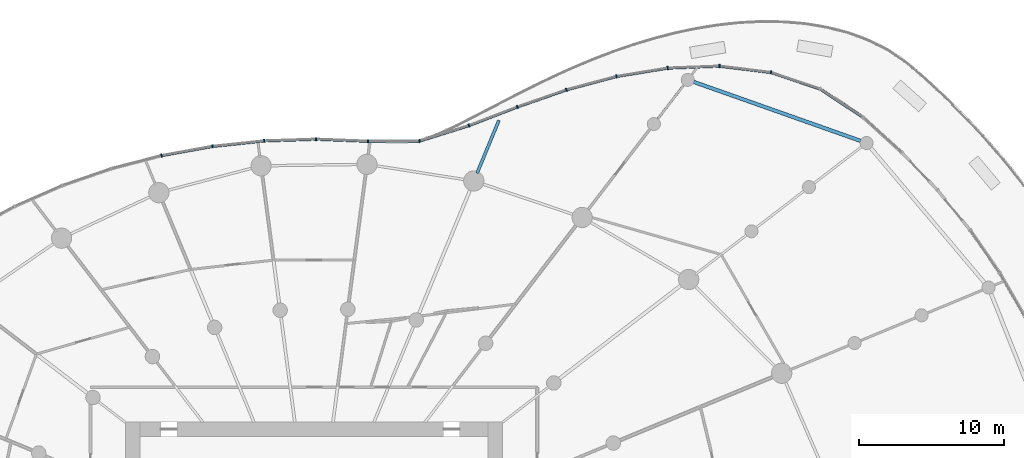
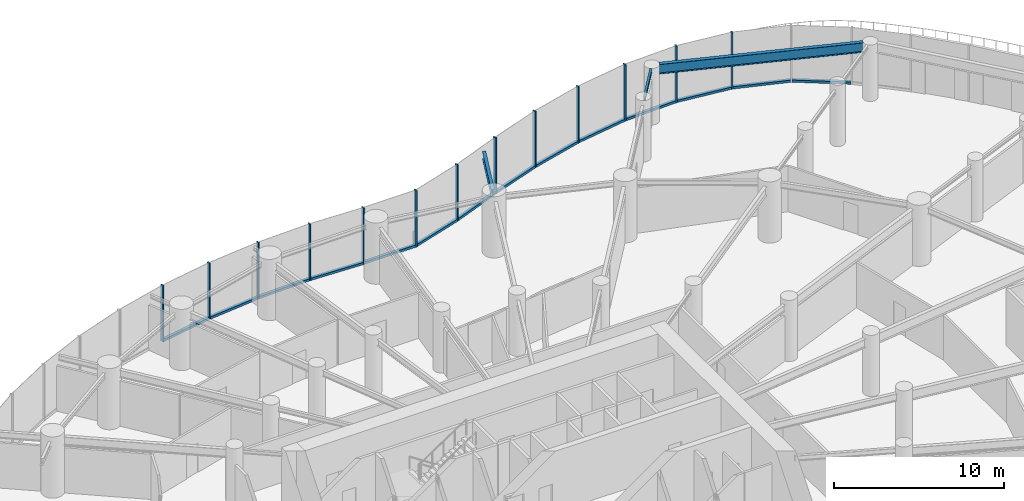
# One storey, part 9 of 24: 27 members, 3 beams, 4 elements without a shape of their own.
"""IFC4 building model written with IfcOpenShell, lengths in metres."""

from ifc_helpers import new_model, si_unit, direction, frame, origin, origin_2d, place, context, subcontext, project, spatial, rectangle, i_section, extrude, source, transform, mapped, material, layer, layer_set, material_profile, profile_set, type_object, element, aggregate, save


model = new_model("IFC4")

# Units and contexts
model_context = context("Model", 3, precision=1e-05, world=origin(), true_north=direction((0.0, 1.0)))
body_context = subcontext(model_context, "Body", "Model", "MODEL_VIEW")
ifc_project = project(units=[si_unit("LENGTHUNIT", "METRE"), si_unit("AREAUNIT", "SQUARE_METRE"), si_unit("VOLUMEUNIT", "CUBIC_METRE"), si_unit("PLANEANGLEUNIT", "RADIAN"), si_unit("MASSUNIT", "GRAM", prefix="KILO")], contexts=[model_context])

# Site, building, storey
site_placement = place(None, origin())
site = spatial("IfcSite", under=ifc_project, at=site_placement, CompositionType="ELEMENT")
building_placement = place(site_placement, origin())
building = spatial("IfcBuilding", under=site, at=building_placement, Name="Spindrift Exchange Tower", CompositionType="ELEMENT")
storey_placement = place(building_placement, frame((0.0, 0.0, 5.0)))
storey = spatial("IfcBuildingStorey", under=building, at=storey_placement, Name="L01", CompositionType="ELEMENT", Elevation=5.0)

# Beams
ifc_material_1 = material(Name="Steel Grade 300", Category="steel")
ifc_material_profile_1 = material_profile(ifc_material_1, i_section(OverallWidth=0.14599609375, OverallDepth=0.251953125, WebThickness=0.006103515625, FlangeThickness=0.008544921875, FilletRadius=0.011962890625, at=origin_2d()), Name="250UB31.4")
ifc_profile_set_1 = profile_set([ifc_material_profile_1], Name="Steel Grade 300")
beam_type_1 = type_object("IfcBeamType", Name="Floor Beam 250UB31.4 Steel Grade 300", PredefinedType="BEAM", material=ifc_profile_set_1)
shared_shape_1 = source(origin(), body_context, "Body", "SweptSolid", [
    extrude(i_section(OverallWidth=0.14599609375, OverallDepth=0.251953125, WebThickness=0.006103515625, FlangeThickness=0.008544921875, FilletRadius=0.011962890625, at=origin_2d()), origin(), (0.0, 0.0, 1.0), 2.978515625),
])
beam_1_placement = place(storey_placement, frame((75.697998046875, 78.8837890625, 3.924072265625), z_axis=(0.608763600102, 0.793351674348, 0.0), x_axis=(-0.793351674348, 0.608763600102, 0.0)))
element("IfcBeam", 1, at=beam_1_placement, inside=storey, type_object=beam_type_1, Name="L01 radial beam R04C2", PredefinedType="BEAM", context=body_context, shape_type="MappedRepresentation", body=[
    mapped(shared_shape_1, transform((0.0, 0.0, 0.0), scale=1.0)),
])
ifc_material_profile_2 = material_profile(ifc_material_1, i_section(OverallWidth=0.208984375, OverallDepth=0.532958984375, WebThickness=0.01025390625, FlangeThickness=0.015625, FilletRadius=0.013916015625, at=origin_2d()), Name="530UB92.4")
ifc_profile_set_2 = profile_set([ifc_material_profile_2], Name="Steel Grade 300")
beam_type_2 = type_object("IfcBeamType", Name="Cantilever Beam 530UB92.4 Steel Grade 300", PredefinedType="BEAM", material=ifc_profile_set_2)
shared_shape_2 = source(origin(), body_context, "Body", "SweptSolid", [
    extrude(i_section(OverallWidth=0.208984375, OverallDepth=0.532958984375, WebThickness=0.01025390625, FlangeThickness=0.015625, FilletRadius=0.013916015625, at=origin_2d()), origin(), (0.0, 0.0, 1.0), 3.949951171875),
])
beam_2_placement = place(storey_placement, frame((63.244873046875, 75.147216796875, 3.783447265625), z_axis=(0.382648384846, 0.92389404889, 0.0), x_axis=(-0.92389404889, 0.382648384846, 0.0)))
element("IfcBeam", 2, at=beam_2_placement, inside=storey, type_object=beam_type_2, Name="L01 cantilever beam R05T", PredefinedType="BEAM", context=body_context, shape_type="MappedRepresentation", body=[
    mapped(shared_shape_2, transform((0.0, 0.0, 0.0), scale=1.0)),
])
ifc_material_profile_3 = material_profile(ifc_material_1, i_section(OverallWidth=0.25, OverallDepth=0.699951171875, WebThickness=0.008056640625, FlangeThickness=0.011962890625, at=origin_2d()), Name="700WB115")
ifc_profile_set_3 = profile_set([ifc_material_profile_3], Name="Steel Grade 300")
beam_type_3 = type_object("IfcBeamType", Name="Edge Beam 700WB115 Steel Grade 300", PredefinedType="SPANDREL", material=ifc_profile_set_3)
shared_shape_3 = source(origin(), body_context, "Body", "SweptSolid", [
    extrude(i_section(OverallWidth=0.25, OverallDepth=0.699951171875, WebThickness=0.008056640625, FlangeThickness=0.011962890625, at=origin_2d()), origin(), (0.0, 0.0, 1.0), 12.211669921875),
])
beam_3_placement = place(storey_placement, frame((89.6923828125, 77.376708984375, 3.699951171875), z_axis=(-0.942879923887, 0.333132780029, 0.0), x_axis=(-0.333132780029, -0.942879923887, 0.0)))
element("IfcBeam", 3, at=beam_3_placement, inside=storey, type_object=beam_type_3, Name="L01 cascade edge beam G03", PredefinedType="SPANDREL", context=body_context, shape_type="MappedRepresentation", body=[
    mapped(shared_shape_3, transform((0.0, 0.0, 0.0), scale=1.0)),
])

# Curtain wall, members
ifc_material_2 = material(Name="Fritted laminated glass with bronze frame", Category="glass")
ifc_layer = layer(ifc_material_2, 0.219970703125)
ifc_layer_set = layer_set([ifc_layer], Name="PODIUM BRONZE GLAZED WALL")
curtain_wall_type = type_object("IfcCurtainWallType", Name="PODIUM BRONZE GLAZED WALL", PredefinedType="NOTDEFINED", material=ifc_layer_set)
curtain_wall_1_placement = place(storey_placement, origin())
curtain_wall_1 = element("IfcCurtainWall", 4, at=curtain_wall_1_placement, inside=storey, type_object=curtain_wall_type, Name="L01 Podium Bronze Glazed Wall run 3", PredefinedType="NOTDEFINED")
ifc_material_3 = material(Name="Bronze anodised aluminium", Category="aluminium")
ifc_material_profile_4 = material_profile(ifc_material_3, rectangle(XDim=0.090087890625, YDim=0.219970703125, at=origin_2d()), Name="PODIUM BRONZE GLAZED WALL MULLION 90X220")
ifc_profile_set_4 = profile_set([ifc_material_profile_4], Name="Bronze anodised aluminium")
member_type_1 = type_object("IfcMemberType", Name="PODIUM BRONZE GLAZED WALL MULLION 90X220", PredefinedType="MULLION", material=ifc_profile_set_4)
shared_shape_4 = source(origin(), body_context, "Body", "SweptSolid", [
    extrude(rectangle(XDim=0.090087890625, YDim=0.219970703125, at=origin_2d()), origin(), (0.0, 0.0, 1.0), 4.050048828125),
])
member_1_placement = place(storey_placement, frame((83.5087890625, 82.100341796875, 0.0), z_axis=(0.0, 0.0, 1.0), x_axis=(-0.97520666879, 0.22129607576, 0.0)))
member_1 = element("IfcMember", 5, at=member_1_placement, type_object=member_type_1, Name="L01 mullion CW-P.13", PredefinedType="MULLION", context=body_context, shape_type="MappedRepresentation", body=[
    mapped(shared_shape_4, transform((0.0, 0.0, 0.0), scale=1.0)),
])
member_2_placement = place(storey_placement, frame((79.962890625, 82.536865234375, 0.0), z_axis=(0.0, 0.0, 1.0), x_axis=(-0.999093765035, 0.042563466351, 0.0)))
member_2 = element("IfcMember", 6, at=member_2_placement, type_object=member_type_1, Name="L01 mullion CW-P.14", PredefinedType="MULLION", context=body_context, shape_type="MappedRepresentation", body=[
    mapped(shared_shape_4, transform((0.0, 0.0, 0.0), scale=1.0)),
])
member_3_placement = place(storey_placement, frame((76.390869140625, 82.403564453125, 0.0), z_axis=(0.0, 0.0, 1.0), x_axis=(-0.995045951853, -0.099416063598, 0.0)))
member_3 = element("IfcMember", 7, at=member_3_placement, type_object=member_type_1, Name="L01 mullion CW-P.15", PredefinedType="MULLION", context=body_context, shape_type="MappedRepresentation", body=[
    mapped(shared_shape_4, transform((0.0, 0.0, 0.0), scale=1.0)),
])
member_4_placement = place(storey_placement, frame((72.862060546875, 81.827392578125, 0.0), z_axis=(0.0, 0.0, 1.0), x_axis=(-0.977678577544, -0.210106161289, 0.0)))
member_4 = element("IfcMember", 8, at=member_4_placement, type_object=member_type_1, Name="L01 mullion CW-P.16", PredefinedType="MULLION", context=body_context, shape_type="MappedRepresentation", body=[
    mapped(shared_shape_4, transform((0.0, 0.0, 0.0), scale=1.0)),
])
member_5_placement = place(storey_placement, frame((69.407470703125, 80.902587890625, 0.0), z_axis=(0.0, 0.0, 1.0), x_axis=(-0.955803926416, -0.294004854123, 0.0)))
member_5 = element("IfcMember", 9, at=member_5_placement, type_object=member_type_1, Name="L01 mullion CW-P.17", PredefinedType="MULLION", context=body_context, shape_type="MappedRepresentation", body=[
    mapped(shared_shape_4, transform((0.0, 0.0, 0.0), scale=1.0)),
])
member_6_placement = place(storey_placement, frame((66.029541015625, 79.7255859375, 0.0), z_axis=(0.0, 0.0, 1.0), x_axis=(-0.938843760803, -0.344343422763, 0.0)))
member_6 = element("IfcMember", 10, at=member_6_placement, type_object=member_type_1, Name="L01 mullion CW-P.18", PredefinedType="MULLION", context=body_context, shape_type="MappedRepresentation", body=[
    mapped(shared_shape_4, transform((0.0, 0.0, 0.0), scale=1.0)),
])

curtain_wall_2_placement = place(storey_placement, origin())
curtain_wall_2 = element("IfcCurtainWall", 11, at=curtain_wall_2_placement, inside=storey, type_object=curtain_wall_type, Name="L01 Podium Bronze Glazed Wall run 4", PredefinedType="NOTDEFINED")
member_7_placement = place(storey_placement, frame((62.69140625, 78.439453125, 0.0), z_axis=(0.0, 0.0, 1.0), x_axis=(-0.944214589173, -0.329330851261, 0.0)))
member_7 = element("IfcMember", 12, at=member_7_placement, type_object=member_type_1, Name="L01 mullion CW-P.19", PredefinedType="MULLION", context=body_context, shape_type="MappedRepresentation", body=[
    mapped(shared_shape_4, transform((0.0, 0.0, 0.0), scale=1.0)),
])
member_8_placement = place(storey_placement, frame((59.281005859375, 77.37158203125, 0.0), z_axis=(0.0, 0.0, 1.0), x_axis=(-0.988271895586, -0.15270448715, 0.0)))
member_8 = element("IfcMember", 13, at=member_8_placement, type_object=member_type_1, Name="L01 mullion CW-P.20", PredefinedType="MULLION", context=body_context, shape_type="MappedRepresentation", body=[
    mapped(shared_shape_4, transform((0.0, 0.0, 0.0), scale=1.0)),
])
member_9_placement = place(storey_placement, frame((55.7216796875, 77.3603515625, 0.0), z_axis=(0.0, 0.0, 1.0), x_axis=(-0.999841223396, 0.017819315328, 0.0)))
member_9 = element("IfcMember", 14, at=member_9_placement, type_object=member_type_1, Name="L01 mullion CW-P.21", PredefinedType="MULLION", context=body_context, shape_type="MappedRepresentation", body=[
    mapped(shared_shape_4, transform((0.0, 0.0, 0.0), scale=1.0)),
])
member_10_placement = place(storey_placement, frame((52.1474609375, 77.499267578125, 0.0), z_axis=(0.0, 0.0, 1.0), x_axis=(-0.999995645197, 0.002951200978, 0.0)))
member_10 = element("IfcMember", 15, at=member_10_placement, type_object=member_type_1, Name="L01 mullion CW-P.22", PredefinedType="MULLION", context=body_context, shape_type="MappedRepresentation", body=[
    mapped(shared_shape_4, transform((0.0, 0.0, 0.0), scale=1.0)),
])
member_11_placement = place(storey_placement, frame((48.57275390625, 77.38134765625, 0.0), z_axis=(0.0, 0.0, 1.0), x_axis=(-0.997617235938, -0.06899167022, 0.0)))
member_11 = element("IfcMember", 16, at=member_11_placement, type_object=member_type_1, Name="L01 mullion CW-P.23", PredefinedType="MULLION", context=body_context, shape_type="MappedRepresentation", body=[
    mapped(shared_shape_4, transform((0.0, 0.0, 0.0), scale=1.0)),
])
member_12_placement = place(storey_placement, frame((45.015869140625, 77.006103515625, 0.0), z_axis=(0.0, 0.0, 1.0), x_axis=(-0.989964616675, -0.14131545468, 0.0)))
member_12 = element("IfcMember", 17, at=member_12_placement, type_object=member_type_1, Name="L01 mullion CW-P.24", PredefinedType="MULLION", context=body_context, shape_type="MappedRepresentation", body=[
    mapped(shared_shape_4, transform((0.0, 0.0, 0.0), scale=1.0)),
])

# Curtain wall, member
curtain_wall_3_placement = place(storey_placement, origin())
curtain_wall_3 = element("IfcCurtainWall", 18, at=curtain_wall_3_placement, inside=storey, type_object=curtain_wall_type, Name="L01 Podium Bronze Glazed Wall run 5", PredefinedType="NOTDEFINED")
member_13_placement = place(storey_placement, frame((41.495849609375, 76.37109375, 0.0), z_axis=(0.0, 0.0, 1.0), x_axis=(-0.976764175529, -0.214316927477, 0.0)))
member_13 = element("IfcMember", 19, at=member_13_placement, type_object=member_type_1, Name="L01 mullion CW-P.25", PredefinedType="MULLION", context=body_context, shape_type="MappedRepresentation", body=[
    mapped(shared_shape_4, transform((0.0, 0.0, 0.0), scale=1.0)),
])
aggregate(curtain_wall_3, [member_13])

# Member
ifc_material_profile_5 = material_profile(ifc_material_3, rectangle(XDim=0.199951171875, YDim=0.159912109375, at=origin_2d()), Name="PODIUM BRONZE GLAZED WALL TRANSOM 200X160")
ifc_profile_set_5 = profile_set([ifc_material_profile_5], Name="Bronze anodised aluminium")
member_type_2 = type_object("IfcMemberType", Name="PODIUM BRONZE GLAZED WALL TRANSOM 200X160", PredefinedType="USERDEFINED", material=ifc_profile_set_5)
shared_shape_5 = source(origin(), body_context, "Body", "SweptSolid", [
    extrude(rectangle(XDim=0.199951171875, YDim=0.159912109375, at=origin_2d()), origin(), (0.0, 0.0, 1.0), 3.486328125),
])
member_14_placement = place(storey_placement, frame((72.818603515625, 81.815673828125, 0.080078125), z_axis=(-0.965997415558, -0.25855172236, 0.0), x_axis=(0.25855172236, -0.965997415558, 0.0)))
member_14 = element("IfcMember", 20, at=member_14_placement, type_object=member_type_2, Name="L01 transom CW-P.16", ObjectType="TRANSOM", PredefinedType="USERDEFINED", context=body_context, shape_type="MappedRepresentation", body=[
    mapped(shared_shape_5, transform((0.0, 0.0, 0.0), scale=1.0)),
])

shared_shape_6 = source(origin(), body_context, "Body", "SweptSolid", [
    extrude(rectangle(XDim=0.199951171875, YDim=0.159912109375, at=origin_2d()), origin(), (0.0, 0.0, 1.0), 3.48681640625),
])
member_15_placement = place(storey_placement, frame((55.676513671875, 77.362060546875, 0.080078125), z_axis=(-0.999244638462, 0.038860680705, 0.0), x_axis=(-0.038860680705, -0.999244638462, 0.0)))
member_15 = element("IfcMember", 21, at=member_15_placement, type_object=member_type_2, Name="L01 transom CW-P.21", ObjectType="TRANSOM", PredefinedType="USERDEFINED", context=body_context, shape_type="MappedRepresentation", body=[
    mapped(shared_shape_6, transform((0.0, 0.0, 0.0), scale=1.0)),
])

member_16_placement = place(storey_placement, frame((52.1025390625, 77.497802734375, 0.080078125), z_axis=(-0.999456041254, -0.032979108549, 0.0), x_axis=(0.032979108549, -0.999456041254, 0.0)))
member_16 = element("IfcMember", 22, at=member_16_placement, type_object=member_type_2, Name="L01 transom CW-P.22", ObjectType="TRANSOM", PredefinedType="USERDEFINED", context=body_context, shape_type="MappedRepresentation", body=[
    mapped(shared_shape_6, transform((0.0, 0.0, 0.0), scale=1.0)),
])

# Curtain wall, members
curtain_wall_4_placement = place(storey_placement, origin())
curtain_wall_4 = element("IfcCurtainWall", 23, at=curtain_wall_4_placement, inside=storey, type_object=curtain_wall_type, Name="L01 Podium Bronze Glazed Wall run 2", PredefinedType="NOTDEFINED")
shared_shape_7 = source(origin(), body_context, "Body", "SweptSolid", [
    extrude(rectangle(XDim=0.199951171875, YDim=0.159912109375, at=origin_2d()), origin(), (0.0, 0.0, 1.0), 3.474853515625),
])
member_17_placement = place(storey_placement, frame((89.82861328125, 79.024169921875, 0.080078125), z_axis=(-0.83424875447, 0.551388262176, 0.0), x_axis=(-0.551388262176, -0.83424875447, 0.0)))
member_17 = element("IfcMember", 24, at=member_17_placement, type_object=member_type_2, Name="L01 transom CW-P.11", ObjectType="TRANSOM", PredefinedType="USERDEFINED", context=body_context, shape_type="MappedRepresentation", body=[
    mapped(shared_shape_7, transform((0.0, 0.0, 0.0), scale=1.0)),
])
shared_shape_8 = source(origin(), body_context, "Body", "SweptSolid", [
    extrude(rectangle(XDim=0.199951171875, YDim=0.159912109375, at=origin_2d()), origin(), (0.0, 0.0, 1.0), 3.47900390625),
])
member_18_placement = place(storey_placement, frame((86.849609375, 80.979248046875, 0.080078125), z_axis=(-0.948028626286, 0.318185046383, 0.0), x_axis=(-0.318185046383, -0.948028626286, 0.0)))
member_18 = element("IfcMember", 25, at=member_18_placement, type_object=member_type_2, Name="L01 transom CW-P.12", ObjectType="TRANSOM", PredefinedType="USERDEFINED", context=body_context, shape_type="MappedRepresentation", body=[
    mapped(shared_shape_8, transform((0.0, 0.0, 0.0), scale=1.0)),
])
aggregate(curtain_wall_4, [member_17, member_18])

# Member
shared_shape_9 = source(origin(), body_context, "Body", "SweptSolid", [
    extrude(rectangle(XDim=0.199951171875, YDim=0.159912109375, at=origin_2d()), origin(), (0.0, 0.0, 1.0), 3.48291015625),
])
member_19_placement = place(storey_placement, frame((83.46435546875, 82.10595703125, 0.080078125), z_axis=(-0.992508003407, 0.122179634857, 0.0), x_axis=(-0.122179634857, -0.992508003407, 0.0)))
member_19 = element("IfcMember", 26, at=member_19_placement, type_object=member_type_2, Name="L01 transom CW-P.13", ObjectType="TRANSOM", PredefinedType="USERDEFINED", context=body_context, shape_type="MappedRepresentation", body=[
    mapped(shared_shape_9, transform((0.0, 0.0, 0.0), scale=1.0)),
])

shared_shape_10 = source(origin(), body_context, "Body", "SweptSolid", [
    extrude(rectangle(XDim=0.199951171875, YDim=0.159912109375, at=origin_2d()), origin(), (0.0, 0.0, 1.0), 3.484619140625),
])
member_20_placement = place(storey_placement, frame((79.91796875, 82.53515625, 0.080078125), z_axis=(-0.999305105878, -0.037273386828, 0.0), x_axis=(0.037273386828, -0.999305105878, 0.0)))
member_20 = element("IfcMember", 27, at=member_20_placement, type_object=member_type_2, Name="L01 transom CW-P.14", ObjectType="TRANSOM", PredefinedType="USERDEFINED", context=body_context, shape_type="MappedRepresentation", body=[
    mapped(shared_shape_10, transform((0.0, 0.0, 0.0), scale=1.0)),
])

shared_shape_11 = source(origin(), body_context, "Body", "SweptSolid", [
    extrude(rectangle(XDim=0.199951171875, YDim=0.159912109375, at=origin_2d()), origin(), (0.0, 0.0, 1.0), 3.4853515625),
])
member_21_placement = place(storey_placement, frame((76.346435546875, 82.396240234375, 0.080078125), z_axis=(-0.98693742693, -0.161104051238, 0.0), x_axis=(0.161104051238, -0.98693742693, 0.0)))
member_21 = element("IfcMember", 28, at=member_21_placement, type_object=member_type_2, Name="L01 transom CW-P.15", ObjectType="TRANSOM", PredefinedType="USERDEFINED", context=body_context, shape_type="MappedRepresentation", body=[
    mapped(shared_shape_11, transform((0.0, 0.0, 0.0), scale=1.0)),
])

shared_shape_12 = source(origin(), body_context, "Body", "SweptSolid", [
    extrude(rectangle(XDim=0.199951171875, YDim=0.159912109375, at=origin_2d()), origin(), (0.0, 0.0, 1.0), 3.487060546875),
])
member_22_placement = place(storey_placement, frame((69.364990234375, 80.887939453125, 0.080078125), z_axis=(-0.944311524297, -0.329052799837, 0.0), x_axis=(0.329052799837, -0.944311524297, 0.0)))
member_22 = element("IfcMember", 29, at=member_22_placement, type_object=member_type_2, Name="L01 transom CW-P.17", ObjectType="TRANSOM", PredefinedType="USERDEFINED", context=body_context, shape_type="MappedRepresentation", body=[
    mapped(shared_shape_12, transform((0.0, 0.0, 0.0), scale=1.0)),
])

shared_shape_13 = source(origin(), body_context, "Body", "SweptSolid", [
    extrude(rectangle(XDim=0.199951171875, YDim=0.159912109375, at=origin_2d()), origin(), (0.0, 0.0, 1.0), 3.4873046875),
])
member_23_placement = place(storey_placement, frame((65.987548828125, 79.70947265625, 0.080078125), z_axis=(-0.933123498387, -0.359556027287, 0.0), x_axis=(0.359556027287, -0.933123498387, 0.0)))
member_23 = element("IfcMember", 30, at=member_23_placement, type_object=member_type_2, Name="L01 transom CW-P.18", ObjectType="TRANSOM", PredefinedType="USERDEFINED", context=body_context, shape_type="MappedRepresentation", body=[
    mapped(shared_shape_13, transform((0.0, 0.0, 0.0), scale=1.0)),
])

aggregate(curtain_wall_1, [member_1, member_19, member_2, member_20, member_3, member_21, member_4, member_14, member_5, member_22, member_6, member_23])

shared_shape_14 = source(origin(), body_context, "Body", "SweptSolid", [
    extrude(rectangle(XDim=0.199951171875, YDim=0.159912109375, at=origin_2d()), origin(), (0.0, 0.0, 1.0), 3.48388671875),
])
member_24_placement = place(storey_placement, frame((62.6484375, 78.426025390625, 0.080078125), z_axis=(-0.954332721416, -0.298745806388, 0.0), x_axis=(0.298745806388, -0.954332721416, 0.0)))
member_24 = element("IfcMember", 31, at=member_24_placement, type_object=member_type_2, Name="L01 transom CW-P.19", ObjectType="TRANSOM", PredefinedType="USERDEFINED", context=body_context, shape_type="MappedRepresentation", body=[
    mapped(shared_shape_14, transform((0.0, 0.0, 0.0), scale=1.0)),
])

shared_shape_15 = source(origin(), body_context, "Body", "SweptSolid", [
    extrude(rectangle(XDim=0.199951171875, YDim=0.159912109375, at=origin_2d()), origin(), (0.0, 0.0, 1.0), 3.46923828125),
])
member_25_placement = place(storey_placement, frame((59.23583984375, 77.37158203125, 0.080078125), z_axis=(-0.999994760449, -0.00323713997, 0.0), x_axis=(0.00323713997, -0.999994760449, 0.0)))
member_25 = element("IfcMember", 32, at=member_25_placement, type_object=member_type_2, Name="L01 transom CW-P.20", ObjectType="TRANSOM", PredefinedType="USERDEFINED", context=body_context, shape_type="MappedRepresentation", body=[
    mapped(shared_shape_15, transform((0.0, 0.0, 0.0), scale=1.0)),
])

shared_shape_16 = source(origin(), body_context, "Body", "SweptSolid", [
    extrude(rectangle(XDim=0.199951171875, YDim=0.159912109375, at=origin_2d()), origin(), (0.0, 0.0, 1.0), 3.486572265625),
])
member_26_placement = place(storey_placement, frame((48.52783203125, 77.376708984375, 0.080078125), z_axis=(-0.994475869091, -0.104965450484, 0.0), x_axis=(0.104965450484, -0.994475869091, 0.0)))
member_26 = element("IfcMember", 33, at=member_26_placement, type_object=member_type_2, Name="L01 transom CW-P.23", ObjectType="TRANSOM", PredefinedType="USERDEFINED", context=body_context, shape_type="MappedRepresentation", body=[
    mapped(shared_shape_16, transform((0.0, 0.0, 0.0), scale=1.0)),
])

member_27_placement = place(storey_placement, frame((44.971435546875, 76.998046875, 0.080078125), z_axis=(-0.984118796485, -0.177511110651, 0.0), x_axis=(0.177511110651, -0.984118796485, 0.0)))
member_27 = element("IfcMember", 34, at=member_27_placement, type_object=member_type_2, Name="L01 transom CW-P.24", ObjectType="TRANSOM", PredefinedType="USERDEFINED", context=body_context, shape_type="MappedRepresentation", body=[
    mapped(shared_shape_16, transform((0.0, 0.0, 0.0), scale=1.0)),
])

aggregate(curtain_wall_2, [member_7, member_24, member_8, member_25, member_9, member_15, member_10, member_16, member_11, member_26, member_12, member_27])

save(model, "model.ifc")
